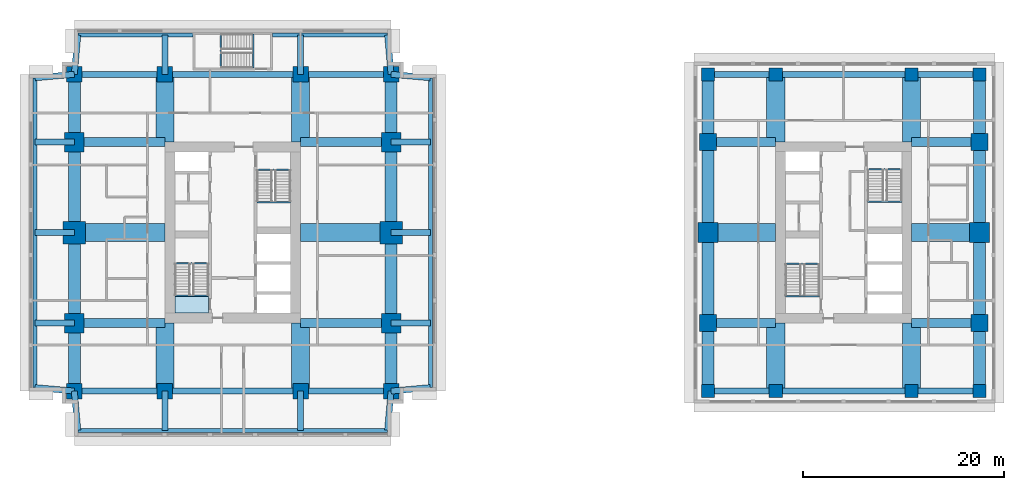
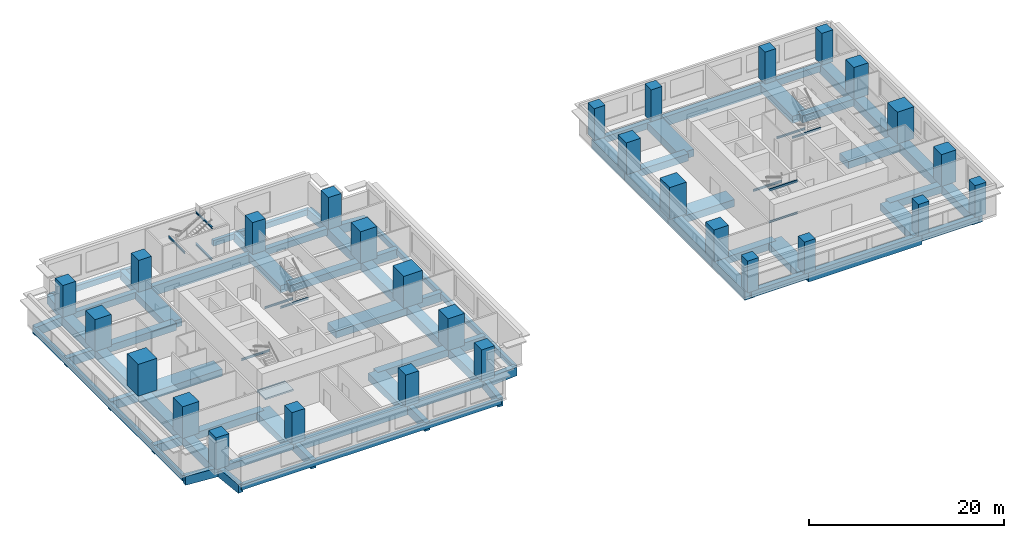
# One storey, part 1 of 10: 83 beams, 28 columns, 1 slab, 1 element without a shape of its own.
"""IFC4 building model written with IfcOpenShell, lengths in metres."""

import ifcopenshell
import ifcopenshell.guid

model = None  # the IFC model being written
_history = None  # IfcOwnerHistory: only IFC2X3 demands one
_inside = {}  # id of a spatial element -> (the spatial element, [elements in it])
_under = {}  # id of a project, library or spatial element -> (it, [spatial elements below it])
_declared = {}  # id of a project -> (the project, [libraries it declares])
_typed = {}  # id of a type object -> (the type object, [elements of that type])
_made_of = {}  # id of a material, layer set ... -> (it, [elements and type objects made of it])


def new_model(schema):
    """Start an empty IFC model of exactly this schema.

    Asked for "IFC4X3", IfcOpenShell would pick the latest addendum, in which some entities
    have other attributes; the version numbers below select the first issue.
    IFC2X3 requires an IfcOwnerHistory on every rooted entity: one is made here for all.
    """
    global model, _history
    if schema == "IFC4X3":
        model = ifcopenshell.file(schema_version=(4, 3, 0, 0))
    else:
        model = ifcopenshell.file(schema=schema)
    _inside.clear()
    _under.clear()
    _declared.clear()
    _typed.clear()
    _made_of.clear()
    _history = None
    if model.schema == "IFC2X3":
        org = make("IfcOrganization", Name="unknown")
        user = make(
            "IfcPersonAndOrganization",
            ThePerson=make("IfcPerson", FamilyName="unknown"),
            TheOrganization=org,
        )
        app = make(
            "IfcApplication",
            ApplicationDeveloper=org,
            Version="unknown",
            ApplicationFullName="unknown",
            ApplicationIdentifier="unknown",
        )
        _history = make(
            "IfcOwnerHistory",
            OwningUser=user,
            OwningApplication=app,
            ChangeAction="ADDED",
            CreationDate=0,
        )
    return model


def make(cls, **values):
    """One entity of the class cls with the attributes given. An attribute that is None is left unset."""
    return model.create_entity(
        cls, **{name: value for name, value in values.items() if value is not None}
    )


def rooted(cls, **values):
    """An entity with a GlobalId (a new one), such as an element, a storey or a relation."""
    return make(cls, GlobalId=ifcopenshell.guid.new(), OwnerHistory=_history, **values)


def si_unit(unit_type, name, prefix=None):
    """IfcSIUnit, for example si_unit("LENGTHUNIT", "METRE", prefix="MILLI")."""
    return make("IfcSIUnit", UnitType=unit_type, Prefix=prefix, Name=name)


def assignment(units):
    """IfcUnitAssignment: the units of a project."""
    return None if units is None else make("IfcUnitAssignment", Units=units)


def point(xyz):
    """IfcCartesianPoint."""
    return None if xyz is None else make("IfcCartesianPoint", Coordinates=xyz)


def direction(xyz):
    """IfcDirection."""
    return None if xyz is None else make("IfcDirection", DirectionRatios=xyz)


def frame(location, z_axis=None, x_axis=None):
    """IfcAxis2Placement3D, a coordinate frame: its origin and axes. An axis left out is left unset."""
    return make(
        "IfcAxis2Placement3D",
        Location=point(location),
        Axis=direction(z_axis),
        RefDirection=direction(x_axis),
    )


def frame_2d(location, x_axis=None):
    """IfcAxis2Placement2D, a coordinate frame in the plane: its origin and x axis."""
    return make(
        "IfcAxis2Placement2D", Location=point(location), RefDirection=direction(x_axis)
    )


def origin():
    """The frame at (0, 0, 0) with its axes left unset."""
    return frame((0.0, 0.0, 0.0))


def origin_2d():
    """The frame at (0, 0) in the plane with its x axis left unset."""
    return frame_2d((0.0, 0.0))


def place(relative_to, where):
    """IfcLocalPlacement: puts the frame where relative to a parent placement (None: the world)."""
    return make(
        "IfcLocalPlacement", PlacementRelTo=relative_to, RelativePlacement=where
    )


def context(
    kind, dimensions, precision=None, world=None, true_north=None, identifier=None
):
    """IfcGeometricRepresentationContext, for example the 3D "Model" context."""
    return make(
        "IfcGeometricRepresentationContext",
        ContextIdentifier=identifier,
        ContextType=kind,
        CoordinateSpaceDimension=dimensions,
        Precision=precision,
        WorldCoordinateSystem=world,
        TrueNorth=true_north,
    )


def subcontext(parent, identifier, kind, view, scale=None):
    """IfcGeometricRepresentationSubContext, for example "Body" below "Model"."""
    return make(
        "IfcGeometricRepresentationSubContext",
        ContextIdentifier=identifier,
        ContextType=kind,
        ParentContext=parent,
        TargetScale=scale,
        TargetView=view,
    )


def project(units=None, contexts=None):
    """IfcProject with its units and contexts."""
    return rooted(
        "IfcProject",
        Name="project",
        RepresentationContexts=contexts,
        UnitsInContext=assignment(units),
    )


def spatial(cls, under=None, at=None, **own):
    """A site, building, storey or space (cls), placed at a placement, below another one or the project."""
    s = rooted(cls, ObjectPlacement=at, **own)
    if under is not None:
        _under.setdefault(under.id(), (under, []))[1].append(s)
    return s


def polyline(points):
    """IfcPolyline through the points."""
    return make("IfcPolyline", Points=[point(p) for p in points])


def profile(cls, at=None, kind="AREA", **sizes):
    """A parametric profile (cls). Its sizes go by their IFC names, for example OverallWidth=200.0."""
    return make(cls, ProfileType=kind, Position=at, **sizes)


def rectangle(**sizes):
    """IfcRectangleProfileDef."""
    return profile("IfcRectangleProfileDef", **sizes)


def i_section(**sizes):
    """IfcIShapeProfileDef."""
    return profile("IfcIShapeProfileDef", **sizes)


def outline(outer, holes=None, kind="AREA"):
    """IfcArbitraryClosedProfileDef: a profile drawn as a closed curve; with holes, ...WithVoids."""
    if holes is None:
        return make("IfcArbitraryClosedProfileDef", ProfileType=kind, OuterCurve=outer)
    return make(
        "IfcArbitraryProfileDefWithVoids",
        ProfileType=kind,
        OuterCurve=outer,
        InnerCurves=holes,
    )


def extrude(swept, where, along, depth):
    """IfcExtrudedAreaSolid: the profile swept, set in the frame where, extruded along a direction by depth."""
    return make(
        "IfcExtrudedAreaSolid",
        SweptArea=swept,
        Position=where,
        ExtrudedDirection=direction(along),
        Depth=depth,
    )


def shape(context_of_items, identifier, shape_type, items):
    """IfcShapeRepresentation: the items that make up one representation, for example the "Body"."""
    return make(
        "IfcShapeRepresentation",
        ContextOfItems=context_of_items,
        RepresentationIdentifier=identifier,
        RepresentationType=shape_type,
        Items=items,
    )


def material(Name=None, Category=None):
    """IfcMaterial."""
    return make("IfcMaterial", Name=Name, Category=Category)


def layer(
    of_material, thickness, ventilated=None, Name=None, Category=None, Priority=None
):
    """IfcMaterialLayer: one layer of a wall or slab, of a material (None: an air gap)."""
    return make(
        "IfcMaterialLayer",
        Material=of_material,
        LayerThickness=thickness,
        IsVentilated=ventilated,
        Name=Name,
        Category=Category,
        Priority=Priority,
    )


def layer_set(layers, Name=None):
    """IfcMaterialLayerSet."""
    return make("IfcMaterialLayerSet", MaterialLayers=layers, LayerSetName=Name)


def material_profile(
    of_material, cross_section, Name=None, Category=None, Priority=None
):
    """IfcMaterialProfile: a cross section and its material."""
    return make(
        "IfcMaterialProfile",
        Name=Name,
        Material=of_material,
        Profile=cross_section,
        Priority=Priority,
        Category=Category,
    )


def profile_set(profiles, Name=None, composite=None):
    """IfcMaterialProfileSet."""
    return make(
        "IfcMaterialProfileSet",
        Name=Name,
        MaterialProfiles=profiles,
        CompositeProfile=composite,
    )


def made_of(thing, what):
    """Note that an element or type object is made of a material, layer set ...; save() writes the relation."""
    if what is not None:
        _made_of.setdefault(what.id(), (what, []))[1].append(thing)
    return thing


def type_object(cls, material=None, **own):
    """A type object (cls), such as IfcWallType, which elements share."""
    return made_of(rooted(cls, **own), material)


def element(
    cls,
    number,
    at=None,
    inside=None,
    cuts=None,
    type_object=None,
    material=None,
    context=None,
    identifier="Body",
    shape_type=None,
    held_by="IfcProductDefinitionShape",
    body=None,
    shapes=None,
    **own,
):
    """One element of the class cls, such as IfcWall. Its Tag is "e" and its number.

    at: its placement. inside: the storey or other place that contains it. cuts: it is an
    opening in that element (IfcRelVoidsElement). A single representation is given by context,
    identifier, shape_type and body (its items); several are given by shapes. held_by: the class
    of the entity that holds the representations. save() writes the other relations.
    """
    e = rooted(cls, Tag="e%d" % number, ObjectPlacement=at, **own)
    if body is not None:
        shapes = [shape(context, identifier, shape_type, body)]
    if shapes is not None:
        e.Representation = make(held_by, Representations=shapes)
    if inside is not None:
        _inside.setdefault(inside.id(), (inside, []))[1].append(e)
    if cuts is not None:
        rooted(
            "IfcRelVoidsElement", RelatingBuildingElement=cuts, RelatedOpeningElement=e
        )
    if type_object is not None:
        _typed.setdefault(type_object.id(), (type_object, []))[1].append(e)
    return made_of(e, material)


def aggregate(whole, parts):
    """IfcRelAggregates: a whole, such as a stair, and the parts it consists of."""
    return rooted("IfcRelAggregates", RelatingObject=whole, RelatedObjects=parts)


def save(model, path):
    """Write the relations noted so far, then the file.

    IfcRelAggregates (storeys below a building ...), IfcRelContainedInSpatialStructure (elements
    in a storey), IfcRelDefinesByType, IfcRelAssociatesMaterial and IfcRelDeclares: one each for
    every whole, place, type object, material and project.
    """
    for whole, parts in _under.values():
        aggregate(whole, parts)
    for where, things in _inside.values():
        rooted(
            "IfcRelContainedInSpatialStructure",
            RelatedElements=things,
            RelatingStructure=where,
        )
    for kind, things in _typed.values():
        rooted("IfcRelDefinesByType", RelatedObjects=things, RelatingType=kind)
    for what, things in _made_of.values():
        rooted("IfcRelAssociatesMaterial", RelatedObjects=things, RelatingMaterial=what)
    for by, libraries in _declared.values():
        rooted("IfcRelDeclares", RelatingContext=by, RelatedDefinitions=libraries)
    model.write(path)


model = new_model("IFC4")

# Units and contexts
model_context = context("Model", 3, precision=1e-05, world=origin(), true_north=direction((0.0, 1.0)))
body_context = subcontext(model_context, "Body", "Model", "MODEL_VIEW")
ifc_project = project(units=[si_unit("LENGTHUNIT", "METRE"), si_unit("AREAUNIT", "SQUARE_METRE"), si_unit("VOLUMEUNIT", "CUBIC_METRE"), si_unit("PLANEANGLEUNIT", "RADIAN"), si_unit("MASSUNIT", "GRAM", prefix="KILO")], contexts=[model_context])

# Site, building, storey
site_placement = place(None, origin())
site = spatial("IfcSite", under=ifc_project, at=site_placement, CompositionType="ELEMENT")
building_placement = place(site_placement, origin())
building = spatial("IfcBuilding", under=site, at=building_placement, Name="Namib Vertical Campus", CompositionType="ELEMENT")
storey_placement = place(building_placement, frame((0.0, 0.0, 229.0)))
storey = spatial("IfcBuildingStorey", under=building, at=storey_placement, Name="L54", CompositionType="ELEMENT", Elevation=229.0)

# Columns
ifc_material_1 = material(Name="Concrete C60/75", Category="concrete")
ifc_material_profile_1 = material_profile(ifc_material_1, rectangle(XDim=1.300048828125, YDim=1.300048828125, at=origin_2d()))
ifc_profile_set_1 = profile_set([ifc_material_profile_1], Name="Concrete C60/75")
column_type_1 = type_object("IfcColumnType", Name="Column RC 1300x1300", PredefinedType="COLUMN", material=ifc_profile_set_1)
for number, where, z_axis, x_axis, name in (
    (1, (67.5, 4.5, 0.0), (0.0, 0.0, 1.0), (1.0, 0.0, 0.0), "Column C130 L54"),
    (2, (74.25, 4.5, 0.0), (0.0, 0.0, 1.0), (1.0, 0.0, 0.0), "Column C130 L54"),
    (3, (87.75, 4.5, 0.0), (0.0, 0.0, 1.0), (1.0, 0.0, 0.0), "Column C130 L54"),
    (4, (94.5, 4.5, 0.0), (0.0, 0.0, 1.0), (1.0, 0.0, 0.0), "Column C130 L54"),
    (5, (67.5, 36.0, 0.0), (0.0, 0.0, 1.0), (1.0, 0.0, 0.0), "Column C130 L54"),
    (6, (74.25, 36.0, 0.0), (0.0, 0.0, 1.0), (1.0, 0.0, 0.0), "Column C130 L54"),
    (7, (87.75, 36.0, 0.0), (0.0, 0.0, 1.0), (1.0, 0.0, 0.0), "Column C130 L54"),
    (8, (94.5, 36.0, 0.0), (0.0, 0.0, 1.0), (1.0, 0.0, 0.0), "Column C130 L54"),
):
    element("IfcColumn", number, at=place(storey_placement, frame(where, z_axis=z_axis, x_axis=x_axis)), inside=storey, type_object=column_type_1, Name=name, PredefinedType="COLUMN", context=body_context, shape_type="SweptSolid", body=[
        extrude(rectangle(XDim=1.300048828125, YDim=1.300048828125, at=origin_2d()), origin(), (0.0, 0.0, 1.0), 4.0),
    ])
ifc_material_2 = material(Name="Concrete C60/75", Category="concrete")
ifc_material_profile_2 = material_profile(ifc_material_2, rectangle(XDim=1.550048828125, YDim=1.550048828125, at=origin_2d()))
ifc_profile_set_2 = profile_set([ifc_material_profile_2], Name="Concrete C60/75")
column_type_2 = type_object("IfcColumnType", Name="Column RC 1550x1550", PredefinedType="COLUMN", material=ifc_profile_set_2)
for number, where, z_axis, x_axis, name in (
    (9, (4.5, 4.5, 0.0), (0.0, 0.0, 1.0), (1.0, 0.0, 0.0), "Column C155 L54"),
    (10, (13.5, 4.5, 0.0), (0.0, 0.0, 1.0), (1.0, 0.0, 0.0), "Column C155 L54"),
    (11, (27.0, 4.5, 0.0), (0.0, 0.0, 1.0), (1.0, 0.0, 0.0), "Column C155 L54"),
    (12, (36.0, 4.5, 0.0), (0.0, 0.0, 1.0), (1.0, 0.0, 0.0), "Column C155 L54"),
    (13, (4.5, 36.0, 0.0), (0.0, 0.0, 1.0), (1.0, 0.0, 0.0), "Column C155 L54"),
    (14, (13.5, 36.0, 0.0), (0.0, 0.0, 1.0), (1.0, 0.0, 0.0), "Column C155 L54"),
    (15, (27.0, 36.0, 0.0), (0.0, 0.0, 1.0), (1.0, 0.0, 0.0), "Column C155 L54"),
    (16, (36.0, 36.0, 0.0), (0.0, 0.0, 1.0), (1.0, 0.0, 0.0), "Column C155 L54"),
):
    element("IfcColumn", number, at=place(storey_placement, frame(where, z_axis=z_axis, x_axis=x_axis)), inside=storey, type_object=column_type_2, Name=name, PredefinedType="COLUMN", context=body_context, shape_type="SweptSolid", body=[
        extrude(rectangle(XDim=1.550048828125, YDim=1.550048828125, at=origin_2d()), origin(), (0.0, 0.0, 1.0), 4.0),
    ])
ifc_material_3 = material(Name="Concrete C60/75", Category="concrete")
ifc_material_profile_3 = material_profile(ifc_material_3, rectangle(XDim=1.699951171875, YDim=1.699951171875, at=origin_2d()))
ifc_profile_set_3 = profile_set([ifc_material_profile_3], Name="Concrete C60/75")
column_type_3 = type_object("IfcColumnType", Name="Column RC 1700x1700", PredefinedType="COLUMN", material=ifc_profile_set_3)
for number, where, z_axis, x_axis, name in (
    (17, (67.5, 11.25, 0.0), (0.0, 0.0, 1.0), (1.0, 0.0, 0.0), "Column C170 L54"),
    (18, (94.5, 11.25, 0.0), (0.0, 0.0, 1.0), (1.0, 0.0, 0.0), "Column C170 L54"),
    (19, (67.5, 29.25, 0.0), (0.0, 0.0, 1.0), (1.0, 0.0, 0.0), "Column C170 L54"),
    (20, (94.5, 29.25, 0.0), (0.0, 0.0, 1.0), (1.0, 0.0, 0.0), "Column C170 L54"),
):
    element("IfcColumn", number, at=place(storey_placement, frame(where, z_axis=z_axis, x_axis=x_axis)), inside=storey, type_object=column_type_3, Name=name, PredefinedType="COLUMN", context=body_context, shape_type="SweptSolid", body=[
        extrude(rectangle(XDim=1.699951171875, YDim=1.699951171875, at=origin_2d()), origin(), (0.0, 0.0, 1.0), 4.0),
    ])
ifc_material_4 = material(Name="Concrete C60/75", Category="concrete")
ifc_material_profile_4 = material_profile(ifc_material_4, rectangle(XDim=1.949951171875, YDim=1.949951171875, at=origin_2d()))
ifc_profile_set_4 = profile_set([ifc_material_profile_4], Name="Concrete C60/75")
column_type_4 = type_object("IfcColumnType", Name="Column RC 1950x1950", PredefinedType="COLUMN", material=ifc_profile_set_4)
for number, where, z_axis, x_axis, name in (
    (21, (4.5, 11.25, 0.0), (0.0, 0.0, 1.0), (1.0, 0.0, 0.0), "Column C195 L54"),
    (22, (36.0, 11.25, 0.0), (0.0, 0.0, 1.0), (1.0, 0.0, 0.0), "Column C195 L54"),
    (23, (4.5, 29.25, 0.0), (0.0, 0.0, 1.0), (1.0, 0.0, 0.0), "Column C195 L54"),
    (24, (36.0, 29.25, 0.0), (0.0, 0.0, 1.0), (1.0, 0.0, 0.0), "Column C195 L54"),
):
    element("IfcColumn", number, at=place(storey_placement, frame(where, z_axis=z_axis, x_axis=x_axis)), inside=storey, type_object=column_type_4, Name=name, PredefinedType="COLUMN", context=body_context, shape_type="SweptSolid", body=[
        extrude(rectangle(XDim=1.949951171875, YDim=1.949951171875, at=origin_2d()), origin(), (0.0, 0.0, 1.0), 4.0),
    ])
ifc_material_5 = material(Name="Concrete C60/75", Category="concrete")
ifc_material_profile_5 = material_profile(ifc_material_5, rectangle(XDim=2.0, YDim=2.0, at=origin_2d()))
ifc_profile_set_5 = profile_set([ifc_material_profile_5], Name="Concrete C60/75")
column_type_5 = type_object("IfcColumnType", Name="Column RC 2000x2000", PredefinedType="COLUMN", material=ifc_profile_set_5)
for number, where, z_axis, x_axis, name in (
    (25, (67.5, 20.25, 0.0), (0.0, 0.0, 1.0), (1.0, 0.0, 0.0), "Column C200 L54"),
    (26, (94.5, 20.25, 0.0), (0.0, 0.0, 1.0), (1.0, 0.0, 0.0), "Column C200 L54"),
):
    element("IfcColumn", number, at=place(storey_placement, frame(where, z_axis=z_axis, x_axis=x_axis)), inside=storey, type_object=column_type_5, Name=name, PredefinedType="COLUMN", context=body_context, shape_type="SweptSolid", body=[
        extrude(rectangle(XDim=2.0, YDim=2.0, at=origin_2d()), origin(), (0.0, 0.0, 1.0), 4.0),
    ])
ifc_material_6 = material(Name="Concrete C60/75", Category="concrete")
ifc_material_profile_6 = material_profile(ifc_material_6, rectangle(XDim=2.25, YDim=2.25, at=origin_2d()))
ifc_profile_set_6 = profile_set([ifc_material_profile_6], Name="Concrete C60/75")
column_type_6 = type_object("IfcColumnType", Name="Column RC 2250x2250", PredefinedType="COLUMN", material=ifc_profile_set_6)
for number, where, z_axis, x_axis, name in (
    (27, (4.5, 20.25, 0.0), (0.0, 0.0, 1.0), (1.0, 0.0, 0.0), "Column C225 L54"),
    (28, (36.0, 20.25, 0.0), (0.0, 0.0, 1.0), (1.0, 0.0, 0.0), "Column C225 L54"),
):
    element("IfcColumn", number, at=place(storey_placement, frame(where, z_axis=z_axis, x_axis=x_axis)), inside=storey, type_object=column_type_6, Name=name, PredefinedType="COLUMN", context=body_context, shape_type="SweptSolid", body=[
        extrude(rectangle(XDim=2.25, YDim=2.25, at=origin_2d()), origin(), (0.0, 0.0, 1.0), 4.0),
    ])

# Beams
ifc_material_7 = material(Name="Concrete C40/50", Category="concrete")
ifc_material_profile_7 = material_profile(ifc_material_7, rectangle(XDim=0.39990234375, YDim=0.699951171875, at=origin_2d()))
ifc_profile_set_7 = profile_set([ifc_material_profile_7], Name="Concrete C40/50")
beam_type_1 = type_object("IfcBeamType", Name="Edge beam RC 400x700", PredefinedType="SPANDREL", material=ifc_profile_set_7)
beam_1_placement = place(storey_placement, frame((4.85009765625, 0.60009765625, -0.60009765625), z_axis=(1.0, 0.0, 0.0), x_axis=(0.0, 1.0, 0.0)))
element("IfcBeam", 29, at=beam_1_placement, inside=storey, type_object=beam_type_1, Name="Beam B4 L54", PredefinedType="SPANDREL", context=body_context, shape_type="SweptSolid", body=[
    extrude(rectangle(XDim=0.39990234375, YDim=0.699951171875, at=origin_2d()), origin(), (0.0, 0.0, 1.0), 30.7998046875),
])
for number, where, z_axis, x_axis, name in (
    (30, (4.85009765625, 39.89990234375, -0.60009765625), (1.0, 0.0, 0.0), (0.0, 1.0, 0.0), "Beam B4 L54"),
    (31, (24.199951171875, 39.89990234375, -0.60009765625), (1.0, 0.0, 0.0), (0.0, 1.0, 0.0), "Beam B4 L54"),
):
    element("IfcBeam", number, at=place(storey_placement, frame(where, z_axis=z_axis, x_axis=x_axis)), inside=storey, type_object=beam_type_1, Name=name, PredefinedType="SPANDREL", context=body_context, shape_type="SweptSolid", body=[
        extrude(rectangle(XDim=0.39990234375, YDim=0.699951171875, at=origin_2d()), origin(), (0.0, 0.0, 1.0), 11.449951171875),
    ])
for number, where, z_axis, x_axis, name in (
    (32, (0.60009765625, 4.85009765625, -0.60009765625), (0.0, 1.0, 0.0), (-1.0, 0.0, 0.0), "Beam B4 L54"),
    (33, (39.89990234375, 4.85009765625, -0.60009765625), (0.0, 1.0, 0.0), (-1.0, 0.0, 0.0), "Beam B4 L54"),
):
    element("IfcBeam", number, at=place(storey_placement, frame(where, z_axis=z_axis, x_axis=x_axis)), inside=storey, type_object=beam_type_1, Name=name, PredefinedType="SPANDREL", context=body_context, shape_type="SweptSolid", body=[
        extrude(rectangle(XDim=0.39990234375, YDim=0.699951171875, at=origin_2d()), origin(), (0.0, 0.0, 1.0), 30.7998046875),
    ])
ifc_material_8 = material(Name="Concrete C40/50", Category="concrete")
ifc_material_profile_8 = material_profile(ifc_material_8, rectangle(XDim=0.89990234375, YDim=0.89990234375, at=origin_2d()))
ifc_profile_set_8 = profile_set([ifc_material_profile_8], Name="Concrete C40/50")
beam_type_2 = type_object("IfcBeamType", Name="Face girder RC 900x900", PredefinedType="BEAM", material=ifc_profile_set_8)
for number, where, z_axis, x_axis, name in (
    (34, (4.5, 11.25, -0.699951171875), (1.0, 0.0, 0.0), (0.0, 1.0, 0.0), "Beam B10 L54"),
    (35, (36.0, 11.25, -0.699951171875), (-1.0, 0.0, 0.0), (0.0, -1.0, 0.0), "Beam B10 L54"),
    (36, (4.5, 29.25, -0.699951171875), (1.0, 0.0, 0.0), (0.0, 1.0, 0.0), "Beam B10 L54"),
    (37, (36.0, 29.25, -0.699951171875), (-1.0, 0.0, 0.0), (0.0, -1.0, 0.0), "Beam B10 L54"),
):
    element("IfcBeam", number, at=place(storey_placement, frame(where, z_axis=z_axis, x_axis=x_axis)), inside=storey, type_object=beam_type_2, Name=name, PredefinedType="BEAM", context=body_context, shape_type="SweptSolid", body=[
        extrude(rectangle(XDim=0.89990234375, YDim=0.89990234375, at=origin_2d()), origin(), (0.0, 0.0, 1.0), 9.0),
    ])
for number, where, z_axis, x_axis, name in (
    (38, (67.5, 11.25, -0.699951171875), (1.0, 0.0, 0.0), (0.0, 1.0, 0.0), "Beam B10 L54"),
    (39, (94.5, 11.25, -0.699951171875), (-1.0, 0.0, 0.0), (0.0, -1.0, 0.0), "Beam B10 L54"),
    (40, (67.5, 29.25, -0.699951171875), (1.0, 0.0, 0.0), (0.0, 1.0, 0.0), "Beam B10 L54"),
    (41, (94.5, 29.25, -0.699951171875), (-1.0, 0.0, 0.0), (0.0, -1.0, 0.0), "Beam B10 L54"),
):
    element("IfcBeam", number, at=place(storey_placement, frame(where, z_axis=z_axis, x_axis=x_axis)), inside=storey, type_object=beam_type_2, Name=name, PredefinedType="BEAM", context=body_context, shape_type="SweptSolid", body=[
        extrude(rectangle(XDim=0.89990234375, YDim=0.89990234375, at=origin_2d()), origin(), (0.0, 0.0, 1.0), 6.75),
    ])
ifc_material_9 = material(Name="Concrete C40/50", Category="concrete")
ifc_material_profile_9 = material_profile(ifc_material_9, rectangle(XDim=1.199951171875, YDim=1.10009765625, at=origin_2d()))
ifc_profile_set_9 = profile_set([ifc_material_profile_9], Name="Concrete C40/50")
beam_type_3 = type_object("IfcBeamType", Name="Face ring beam RC 1200x1100", PredefinedType="BEAM", material=ifc_profile_set_9)
beam_2_placement = place(storey_placement, frame((4.5, 4.5, -0.800048828125), z_axis=(0.0, 1.0, 0.0), x_axis=(-1.0, 0.0, 0.0)))
element("IfcBeam", 42, at=beam_2_placement, inside=storey, type_object=beam_type_3, Name="Beam B11 L54", PredefinedType="BEAM", context=body_context, shape_type="SweptSolid", body=[
    extrude(rectangle(XDim=1.199951171875, YDim=1.10009765625, at=origin_2d()), origin(), (0.0, 0.0, 1.0), 6.75),
])
for number, where, z_axis, x_axis, name in (
    (43, (4.5, 11.25, -0.800048828125), (0.0, 1.0, 0.0), (-1.0, 0.0, 0.0), "Beam B11 L54"),
    (44, (4.5, 20.25, -0.800048828125), (0.0, 1.0, 0.0), (-1.0, 0.0, 0.0), "Beam B11 L54"),
):
    element("IfcBeam", number, at=place(storey_placement, frame(where, z_axis=z_axis, x_axis=x_axis)), inside=storey, type_object=beam_type_3, Name=name, PredefinedType="BEAM", context=body_context, shape_type="SweptSolid", body=[
        extrude(rectangle(XDim=1.199951171875, YDim=1.10009765625, at=origin_2d()), origin(), (0.0, 0.0, 1.0), 9.0),
    ])
for number, where, z_axis, x_axis, name in (
    (45, (4.5, 29.25, -0.800048828125), (0.0, 1.0, 0.0), (-1.0, 0.0, 0.0), "Beam B11 L54"),
    (46, (36.0, 4.5, -0.800048828125), (0.0, 1.0, 0.0), (-1.0, 0.0, 0.0), "Beam B11 L54"),
):
    element("IfcBeam", number, at=place(storey_placement, frame(where, z_axis=z_axis, x_axis=x_axis)), inside=storey, type_object=beam_type_3, Name=name, PredefinedType="BEAM", context=body_context, shape_type="SweptSolid", body=[
        extrude(rectangle(XDim=1.199951171875, YDim=1.10009765625, at=origin_2d()), origin(), (0.0, 0.0, 1.0), 6.75),
    ])
for number, where, z_axis, x_axis, name in (
    (47, (36.0, 11.25, -0.800048828125), (0.0, 1.0, 0.0), (-1.0, 0.0, 0.0), "Beam B11 L54"),
    (48, (36.0, 20.25, -0.800048828125), (0.0, 1.0, 0.0), (-1.0, 0.0, 0.0), "Beam B11 L54"),
):
    element("IfcBeam", number, at=place(storey_placement, frame(where, z_axis=z_axis, x_axis=x_axis)), inside=storey, type_object=beam_type_3, Name=name, PredefinedType="BEAM", context=body_context, shape_type="SweptSolid", body=[
        extrude(rectangle(XDim=1.199951171875, YDim=1.10009765625, at=origin_2d()), origin(), (0.0, 0.0, 1.0), 9.0),
    ])
for number, where, z_axis, x_axis, name in (
    (49, (36.0, 29.25, -0.800048828125), (0.0, 1.0, 0.0), (-1.0, 0.0, 0.0), "Beam B11 L54"),
    (50, (67.5, 4.5, -0.800048828125), (0.0, 1.0, 0.0), (-1.0, 0.0, 0.0), "Beam B11 L54"),
):
    element("IfcBeam", number, at=place(storey_placement, frame(where, z_axis=z_axis, x_axis=x_axis)), inside=storey, type_object=beam_type_3, Name=name, PredefinedType="BEAM", context=body_context, shape_type="SweptSolid", body=[
        extrude(rectangle(XDim=1.199951171875, YDim=1.10009765625, at=origin_2d()), origin(), (0.0, 0.0, 1.0), 6.75),
    ])
for number, where, z_axis, x_axis, name in (
    (51, (67.5, 11.25, -0.800048828125), (0.0, 1.0, 0.0), (-1.0, 0.0, 0.0), "Beam B11 L54"),
    (52, (67.5, 20.25, -0.800048828125), (0.0, 1.0, 0.0), (-1.0, 0.0, 0.0), "Beam B11 L54"),
):
    element("IfcBeam", number, at=place(storey_placement, frame(where, z_axis=z_axis, x_axis=x_axis)), inside=storey, type_object=beam_type_3, Name=name, PredefinedType="BEAM", context=body_context, shape_type="SweptSolid", body=[
        extrude(rectangle(XDim=1.199951171875, YDim=1.10009765625, at=origin_2d()), origin(), (0.0, 0.0, 1.0), 9.0),
    ])
for number, where, z_axis, x_axis, name in (
    (53, (67.5, 29.25, -0.800048828125), (0.0, 1.0, 0.0), (-1.0, 0.0, 0.0), "Beam B11 L54"),
    (54, (94.5, 4.5, -0.800048828125), (0.0, 1.0, 0.0), (-1.0, 0.0, 0.0), "Beam B11 L54"),
):
    element("IfcBeam", number, at=place(storey_placement, frame(where, z_axis=z_axis, x_axis=x_axis)), inside=storey, type_object=beam_type_3, Name=name, PredefinedType="BEAM", context=body_context, shape_type="SweptSolid", body=[
        extrude(rectangle(XDim=1.199951171875, YDim=1.10009765625, at=origin_2d()), origin(), (0.0, 0.0, 1.0), 6.75),
    ])
for number, where, z_axis, x_axis, name in (
    (55, (94.5, 11.25, -0.800048828125), (0.0, 1.0, 0.0), (-1.0, 0.0, 0.0), "Beam B11 L54"),
    (56, (94.5, 20.25, -0.800048828125), (0.0, 1.0, 0.0), (-1.0, 0.0, 0.0), "Beam B11 L54"),
):
    element("IfcBeam", number, at=place(storey_placement, frame(where, z_axis=z_axis, x_axis=x_axis)), inside=storey, type_object=beam_type_3, Name=name, PredefinedType="BEAM", context=body_context, shape_type="SweptSolid", body=[
        extrude(rectangle(XDim=1.199951171875, YDim=1.10009765625, at=origin_2d()), origin(), (0.0, 0.0, 1.0), 9.0),
    ])
beam_3_placement = place(storey_placement, frame((94.5, 29.25, -0.800048828125), z_axis=(0.0, 1.0, 0.0), x_axis=(-1.0, 0.0, 0.0)))
element("IfcBeam", 57, at=beam_3_placement, inside=storey, type_object=beam_type_3, Name="Beam B11 L54", PredefinedType="BEAM", context=body_context, shape_type="SweptSolid", body=[
    extrude(rectangle(XDim=1.199951171875, YDim=1.10009765625, at=origin_2d()), origin(), (0.0, 0.0, 1.0), 6.75),
])
ifc_material_10 = material(Name="Steel S355JR", Category="steel")
ifc_material_profile_10 = material_profile(ifc_material_10, i_section(OverallWidth=0.14599609375, OverallDepth=0.25146484375, WebThickness=0.006103515625, FlangeThickness=0.008544921875, FilletRadius=0.007568359375, at=origin_2d()))
ifc_profile_set_10 = profile_set([ifc_material_profile_10], Name="Steel S355JR")
beam_type_4 = type_object("IfcBeamType", Name="Landing trimmer UB 254x146x31", PredefinedType="BEAM", material=ifc_profile_set_10)
for number, where, z_axis, x_axis, name in (
    (58, (14.5, 13.97705078125, -0.125732421875), (1.0, 0.0, 0.0), (0.0, 1.0, 0.0), "Landing trimmer LT1 A-S1 L54 1"),
    (59, (14.5, 17.203125, 1.874267578125), (1.0, 0.0, 0.0), (0.0, 1.0, 0.0), "Landing trimmer LT1 A-S1 L54 2"),
    (60, (22.64990234375, 26.52294921875, -0.125732421875), (1.0, 0.0, 0.0), (0.0, 1.0, 0.0), "Landing trimmer LT1 A-S2 L54 1"),
    (61, (22.64990234375, 23.296875, 1.874267578125), (1.0, 0.0, 0.0), (0.0, 1.0, 0.0), "Landing trimmer LT1 A-S2 L54 2"),
):
    element("IfcBeam", number, at=place(storey_placement, frame(where, z_axis=z_axis, x_axis=x_axis)), inside=storey, type_object=beam_type_4, Name=name, PredefinedType="BEAM", context=body_context, shape_type="SweptSolid", body=[
        extrude(i_section(OverallWidth=0.14599609375, OverallDepth=0.25146484375, WebThickness=0.006103515625, FlangeThickness=0.008544921875, FilletRadius=0.007568359375, at=origin_2d()), origin(), (0.0, 0.0, 1.0), 3.35009765625),
    ])
for number, where, z_axis, x_axis, name in (
    (62, (75.199951171875, 13.927001953125, -0.125732421875), (1.0, 0.0, 0.0), (0.0, 1.0, 0.0), "Landing trimmer LT1 B-S1 L54 1"),
    (63, (75.199951171875, 17.153076171875, 1.874267578125), (1.0, 0.0, 0.0), (0.0, 1.0, 0.0), "Landing trimmer LT1 B-S1 L54 2"),
    (64, (75.199951171875, 13.927001953125, 3.874267578125), (1.0, 0.0, 0.0), (0.0, 1.0, 0.0), "Landing trimmer LT1 B-S1 L54 3"),
    (65, (83.39990234375, 26.572998046875, -0.125732421875), (1.0, 0.0, 0.0), (0.0, 1.0, 0.0), "Landing trimmer LT1 B-S2 L54 1"),
    (66, (83.39990234375, 23.346923828125, 1.874267578125), (1.0, 0.0, 0.0), (0.0, 1.0, 0.0), "Landing trimmer LT1 B-S2 L54 2"),
):
    element("IfcBeam", number, at=place(storey_placement, frame(where, z_axis=z_axis, x_axis=x_axis)), inside=storey, type_object=beam_type_4, Name=name, PredefinedType="BEAM", context=body_context, shape_type="SweptSolid", body=[
        extrude(i_section(OverallWidth=0.14599609375, OverallDepth=0.25146484375, WebThickness=0.006103515625, FlangeThickness=0.008544921875, FilletRadius=0.007568359375, at=origin_2d()), origin(), (0.0, 0.0, 1.0), 3.400146484375),
    ])
for number, where, z_axis, x_axis, name in (
    (67, (22.27294921875, 36.64990234375, -0.125732421875), (0.0, 1.0, 0.0), (-1.0, 0.0, 0.0), "Landing trimmer LT1 A-S3 L54 1"),
    (68, (19.046875, 36.64990234375, 1.874267578125), (0.0, 1.0, 0.0), (-1.0, 0.0, 0.0), "Landing trimmer LT1 A-S3 L54 2"),
    (69, (22.27294921875, 36.64990234375, 3.874267578125), (0.0, 1.0, 0.0), (-1.0, 0.0, 0.0), "Landing trimmer LT1 A-S3 L54 3"),
):
    element("IfcBeam", number, at=place(storey_placement, frame(where, z_axis=z_axis, x_axis=x_axis)), inside=storey, type_object=beam_type_4, Name=name, PredefinedType="BEAM", context=body_context, shape_type="SweptSolid", body=[
        extrude(i_section(OverallWidth=0.14599609375, OverallDepth=0.25146484375, WebThickness=0.006103515625, FlangeThickness=0.008544921875, FilletRadius=0.007568359375, at=origin_2d()), origin(), (0.0, 0.0, 1.0), 3.35009765625),
    ])
ifc_material_11 = material(Name="Concrete C40/50", Category="concrete")
ifc_material_profile_11 = material_profile(ifc_material_11, rectangle(XDim=0.60009765625, YDim=1.199951171875, at=origin_2d()))
ifc_profile_set_11 = profile_set([ifc_material_profile_11], Name="Concrete C40/50")
beam_type_5 = type_object("IfcBeamType", Name="Long-span ring beam RC 600x1200", PredefinedType="BEAM", material=ifc_profile_set_11)
for number, where, z_axis, x_axis, name in (
    (70, (13.5, 4.5, -0.85009765625), (1.0, 0.0, 0.0), (0.0, 1.0, 0.0), "Beam B9 L54"),
    (71, (13.5, 36.0, -0.85009765625), (1.0, 0.0, 0.0), (0.0, 1.0, 0.0), "Beam B9 L54"),
    (72, (74.25, 4.5, -0.85009765625), (1.0, 0.0, 0.0), (0.0, 1.0, 0.0), "Beam B9 L54"),
    (73, (74.25, 36.0, -0.85009765625), (1.0, 0.0, 0.0), (0.0, 1.0, 0.0), "Beam B9 L54"),
):
    element("IfcBeam", number, at=place(storey_placement, frame(where, z_axis=z_axis, x_axis=x_axis)), inside=storey, type_object=beam_type_5, Name=name, PredefinedType="BEAM", context=body_context, shape_type="SweptSolid", body=[
        extrude(rectangle(XDim=0.60009765625, YDim=1.199951171875, at=origin_2d()), origin(), (0.0, 0.0, 1.0), 13.5),
    ])
ifc_material_12 = material(Name="Concrete C40/50", Category="concrete")
ifc_material_profile_12 = material_profile(ifc_material_12, rectangle(XDim=1.800048828125, YDim=0.89990234375, at=origin_2d()))
ifc_profile_set_12 = profile_set([ifc_material_profile_12], Name="Concrete C40/50")
beam_type_6 = type_object("IfcBeamType", Name="Outrigger line girder RC 1800x900", PredefinedType="BEAM", material=ifc_profile_set_12)
for number, where, z_axis, x_axis, name in (
    (74, (13.5, 4.5, -0.699951171875), (0.0, 1.0, 0.0), (-1.0, 0.0, 0.0), "Beam B12 L54"),
    (75, (13.5, 36.0, -0.699951171875), (0.0, -1.0, 0.0), (1.0, 0.0, 0.0), "Beam B12 L54"),
    (76, (27.0, 4.5, -0.699951171875), (0.0, 1.0, 0.0), (-1.0, 0.0, 0.0), "Beam B12 L54"),
    (77, (27.0, 36.0, -0.699951171875), (0.0, -1.0, 0.0), (1.0, 0.0, 0.0), "Beam B12 L54"),
):
    element("IfcBeam", number, at=place(storey_placement, frame(where, z_axis=z_axis, x_axis=x_axis)), inside=storey, type_object=beam_type_6, Name=name, PredefinedType="BEAM", context=body_context, shape_type="SweptSolid", body=[
        extrude(rectangle(XDim=1.800048828125, YDim=0.89990234375, at=origin_2d()), origin(), (0.0, 0.0, 1.0), 6.75),
    ])
for number, where, z_axis, x_axis, name in (
    (78, (4.5, 20.25, -0.699951171875), (1.0, 0.0, 0.0), (0.0, 1.0, 0.0), "Beam B12 L54"),
    (79, (36.0, 20.25, -0.699951171875), (-1.0, 0.0, 0.0), (0.0, -1.0, 0.0), "Beam B12 L54"),
):
    element("IfcBeam", number, at=place(storey_placement, frame(where, z_axis=z_axis, x_axis=x_axis)), inside=storey, type_object=beam_type_6, Name=name, PredefinedType="BEAM", context=body_context, shape_type="SweptSolid", body=[
        extrude(rectangle(XDim=1.800048828125, YDim=0.89990234375, at=origin_2d()), origin(), (0.0, 0.0, 1.0), 9.0),
    ])
for number, where, z_axis, x_axis, name in (
    (80, (74.25, 4.5, -0.699951171875), (0.0, 1.0, 0.0), (-1.0, 0.0, 0.0), "Beam B12 L54"),
    (81, (74.25, 36.0, -0.699951171875), (0.0, -1.0, 0.0), (1.0, 0.0, 0.0), "Beam B12 L54"),
    (82, (87.75, 4.5, -0.699951171875), (0.0, 1.0, 0.0), (-1.0, 0.0, 0.0), "Beam B12 L54"),
    (83, (87.75, 36.0, -0.699951171875), (0.0, -1.0, 0.0), (1.0, 0.0, 0.0), "Beam B12 L54"),
    (84, (67.5, 20.25, -0.699951171875), (1.0, 0.0, 0.0), (0.0, 1.0, 0.0), "Beam B12 L54"),
    (85, (94.5, 20.25, -0.699951171875), (-1.0, 0.0, 0.0), (0.0, -1.0, 0.0), "Beam B12 L54"),
):
    element("IfcBeam", number, at=place(storey_placement, frame(where, z_axis=z_axis, x_axis=x_axis)), inside=storey, type_object=beam_type_6, Name=name, PredefinedType="BEAM", context=body_context, shape_type="SweptSolid", body=[
        extrude(rectangle(XDim=1.800048828125, YDim=0.89990234375, at=origin_2d()), origin(), (0.0, 0.0, 1.0), 6.75),
    ])
ifc_material_13 = material(Name="Concrete C40/50", Category="concrete")
ifc_material_profile_13 = material_profile(ifc_material_13, rectangle(XDim=0.60009765625, YDim=1.10009765625, at=origin_2d()))
ifc_profile_set_13 = profile_set([ifc_material_profile_13], Name="Concrete C40/50")
beam_type_7 = type_object("IfcBeamType", Name="Plant floor cantilever girder RC 600x1100", PredefinedType="BEAM", material=ifc_profile_set_13)
beam_4_placement = place(storey_placement, frame((4.5, 4.5, -0.800048828125), z_axis=(0.089411326146, -0.995994786511, 0.0), x_axis=(0.995994786511, 0.089411326146, 0.0)))
element("IfcBeam", 86, at=beam_4_placement, inside=storey, type_object=beam_type_7, Name="Beam B7 L54", PredefinedType="BEAM", context=body_context, shape_type="SweptSolid", body=[
    extrude(rectangle(XDim=0.60009765625, YDim=1.10009765625, at=origin_2d()), origin(), (0.0, 0.0, 1.0), 3.91552734375),
])
for number, where, z_axis, x_axis, name in (
    (87, (13.5, 4.5, -0.800048828125), (0.0, -1.0, 0.0), (1.0, 0.0, 0.0), "Beam B7 L54"),
    (88, (27.0, 4.5, -0.800048828125), (0.0, -1.0, 0.0), (1.0, 0.0, 0.0), "Beam B7 L54"),
):
    element("IfcBeam", number, at=place(storey_placement, frame(where, z_axis=z_axis, x_axis=x_axis)), inside=storey, type_object=beam_type_7, Name=name, PredefinedType="BEAM", context=body_context, shape_type="SweptSolid", body=[
        extrude(rectangle(XDim=0.60009765625, YDim=1.10009765625, at=origin_2d()), origin(), (0.0, 0.0, 1.0), 3.89990234375),
    ])
for number, where, z_axis, x_axis, name in (
    (89, (36.0, 4.5, -0.800048828125), (-0.089411326146, -0.995994786511, 0.0), (0.995994786511, -0.089411326146, 0.0), "Beam B7 L54"),
    (90, (4.5, 36.0, -0.800048828125), (0.089411326146, 0.995994786511, 0.0), (-0.995994786511, 0.089411326146, 0.0), "Beam B7 L54"),
):
    element("IfcBeam", number, at=place(storey_placement, frame(where, z_axis=z_axis, x_axis=x_axis)), inside=storey, type_object=beam_type_7, Name=name, PredefinedType="BEAM", context=body_context, shape_type="SweptSolid", body=[
        extrude(rectangle(XDim=0.60009765625, YDim=1.10009765625, at=origin_2d()), origin(), (0.0, 0.0, 1.0), 3.91552734375),
    ])
for number, where, z_axis, x_axis, name in (
    (91, (13.5, 36.0, -0.800048828125), (0.0, 1.0, 0.0), (-1.0, 0.0, 0.0), "Beam B7 L54"),
    (92, (27.0, 36.0, -0.800048828125), (0.0, 1.0, 0.0), (-1.0, 0.0, 0.0), "Beam B7 L54"),
):
    element("IfcBeam", number, at=place(storey_placement, frame(where, z_axis=z_axis, x_axis=x_axis)), inside=storey, type_object=beam_type_7, Name=name, PredefinedType="BEAM", context=body_context, shape_type="SweptSolid", body=[
        extrude(rectangle(XDim=0.60009765625, YDim=1.10009765625, at=origin_2d()), origin(), (0.0, 0.0, 1.0), 3.89990234375),
    ])
for number, where, z_axis, x_axis, name in (
    (93, (36.0, 36.0, -0.800048828125), (-0.089411326146, 0.995994786511, 0.0), (-0.995994786511, -0.089411326146, 0.0), "Beam B7 L54"),
    (94, (4.5, 4.5, -0.800048828125), (-0.995994786511, 0.089411326146, 0.0), (-0.089411326146, -0.995994786511, 0.0), "Beam B7 L54"),
):
    element("IfcBeam", number, at=place(storey_placement, frame(where, z_axis=z_axis, x_axis=x_axis)), inside=storey, type_object=beam_type_7, Name=name, PredefinedType="BEAM", context=body_context, shape_type="SweptSolid", body=[
        extrude(rectangle(XDim=0.60009765625, YDim=1.10009765625, at=origin_2d()), origin(), (0.0, 0.0, 1.0), 3.91552734375),
    ])
for number, where, z_axis, x_axis, name in (
    (95, (4.5, 11.25, -0.800048828125), (-1.0, 0.0, 0.0), (0.0, -1.0, 0.0), "Beam B7 L54"),
    (96, (4.5, 20.25, -0.800048828125), (-1.0, 0.0, 0.0), (0.0, -1.0, 0.0), "Beam B7 L54"),
    (97, (4.5, 29.25, -0.800048828125), (-1.0, 0.0, 0.0), (0.0, -1.0, 0.0), "Beam B7 L54"),
):
    element("IfcBeam", number, at=place(storey_placement, frame(where, z_axis=z_axis, x_axis=x_axis)), inside=storey, type_object=beam_type_7, Name=name, PredefinedType="BEAM", context=body_context, shape_type="SweptSolid", body=[
        extrude(rectangle(XDim=0.60009765625, YDim=1.10009765625, at=origin_2d()), origin(), (0.0, 0.0, 1.0), 3.89990234375),
    ])
for number, where, z_axis, x_axis, name in (
    (98, (4.5, 36.0, -0.800048828125), (-0.995994786511, -0.089411326146, 0.0), (0.089411326146, -0.995994786511, 0.0), "Beam B7 L54"),
    (99, (36.0, 4.5, -0.800048828125), (0.995994786511, 0.089411326146, 0.0), (-0.089411326146, 0.995994786511, 0.0), "Beam B7 L54"),
):
    element("IfcBeam", number, at=place(storey_placement, frame(where, z_axis=z_axis, x_axis=x_axis)), inside=storey, type_object=beam_type_7, Name=name, PredefinedType="BEAM", context=body_context, shape_type="SweptSolid", body=[
        extrude(rectangle(XDim=0.60009765625, YDim=1.10009765625, at=origin_2d()), origin(), (0.0, 0.0, 1.0), 3.91552734375),
    ])
for number, where, z_axis, x_axis, name in (
    (100, (36.0, 11.25, -0.800048828125), (1.0, 0.0, 0.0), (0.0, 1.0, 0.0), "Beam B7 L54"),
    (101, (36.0, 20.25, -0.800048828125), (1.0, 0.0, 0.0), (0.0, 1.0, 0.0), "Beam B7 L54"),
    (102, (36.0, 29.25, -0.800048828125), (1.0, 0.0, 0.0), (0.0, 1.0, 0.0), "Beam B7 L54"),
):
    element("IfcBeam", number, at=place(storey_placement, frame(where, z_axis=z_axis, x_axis=x_axis)), inside=storey, type_object=beam_type_7, Name=name, PredefinedType="BEAM", context=body_context, shape_type="SweptSolid", body=[
        extrude(rectangle(XDim=0.60009765625, YDim=1.10009765625, at=origin_2d()), origin(), (0.0, 0.0, 1.0), 3.89990234375),
    ])
beam_5_placement = place(storey_placement, frame((36.0, 36.0, -0.800048828125), z_axis=(0.995994786511, -0.089411326146, 0.0), x_axis=(0.089411326146, 0.995994786511, 0.0)))
element("IfcBeam", 103, at=beam_5_placement, inside=storey, type_object=beam_type_7, Name="Beam B7 L54", PredefinedType="BEAM", context=body_context, shape_type="SweptSolid", body=[
    extrude(rectangle(XDim=0.60009765625, YDim=1.10009765625, at=origin_2d()), origin(), (0.0, 0.0, 1.0), 3.91552734375),
])
ifc_material_14 = material(Name="Concrete C40/50", Category="concrete")
ifc_material_profile_14 = material_profile(ifc_material_14, rectangle(XDim=0.60009765625, YDim=0.800048828125, at=origin_2d()))
ifc_profile_set_14 = profile_set([ifc_material_profile_14], Name="Concrete C40/50")
beam_type_8 = type_object("IfcBeamType", Name="Ring beam RC 600x800", PredefinedType="BEAM", material=ifc_profile_set_14)
for number, where, z_axis, x_axis, name in (
    (104, (4.5, 4.5, -0.64990234375), (1.0, 0.0, 0.0), (0.0, 1.0, 0.0), "Beam B1 L54"),
    (105, (27.0, 4.5, -0.64990234375), (1.0, 0.0, 0.0), (0.0, 1.0, 0.0), "Beam B1 L54"),
    (106, (4.5, 36.0, -0.64990234375), (1.0, 0.0, 0.0), (0.0, 1.0, 0.0), "Beam B1 L54"),
    (107, (27.0, 36.0, -0.64990234375), (1.0, 0.0, 0.0), (0.0, 1.0, 0.0), "Beam B1 L54"),
):
    element("IfcBeam", number, at=place(storey_placement, frame(where, z_axis=z_axis, x_axis=x_axis)), inside=storey, type_object=beam_type_8, Name=name, PredefinedType="BEAM", context=body_context, shape_type="SweptSolid", body=[
        extrude(rectangle(XDim=0.60009765625, YDim=0.800048828125, at=origin_2d()), origin(), (0.0, 0.0, 1.0), 9.0),
    ])
for number, where, z_axis, x_axis, name in (
    (108, (67.5, 4.5, -0.64990234375), (1.0, 0.0, 0.0), (0.0, 1.0, 0.0), "Beam B1 L54"),
    (109, (87.75, 4.5, -0.64990234375), (1.0, 0.0, 0.0), (0.0, 1.0, 0.0), "Beam B1 L54"),
    (110, (67.5, 36.0, -0.64990234375), (1.0, 0.0, 0.0), (0.0, 1.0, 0.0), "Beam B1 L54"),
    (111, (87.75, 36.0, -0.64990234375), (1.0, 0.0, 0.0), (0.0, 1.0, 0.0), "Beam B1 L54"),
):
    element("IfcBeam", number, at=place(storey_placement, frame(where, z_axis=z_axis, x_axis=x_axis)), inside=storey, type_object=beam_type_8, Name=name, PredefinedType="BEAM", context=body_context, shape_type="SweptSolid", body=[
        extrude(rectangle(XDim=0.60009765625, YDim=0.800048828125, at=origin_2d()), origin(), (0.0, 0.0, 1.0), 6.75),
    ])

# Stair, slab
ifc_material_15 = material(Name="Concrete C40/50 precast", Category="concrete")
stair_type = type_object("IfcStairType", Name="Exit stair 4000 rise 24 risers 3350 wide", PredefinedType="HALF_TURN_STAIR", material=ifc_material_15)
stair_placement = place(storey_placement, origin())
stair = element("IfcStair", 112, at=stair_placement, inside=storey, type_object=stair_type, Name="Exit stair A-S1 L54", PredefinedType="HALF_TURN_STAIR")
ifc_material_16 = material(Name="Concrete C40/50", Category="concrete")
ifc_layer = layer(ifc_material_16, 0.199951171875)
ifc_layer_set = layer_set([ifc_layer], Name="Concrete C40/50")
slab_type = type_object("IfcSlabType", Name="Stair landing 200", PredefinedType="LANDING", material=ifc_layer_set)
slab_placement = place(storey_placement, frame((0.0, 0.0, -0.199951171875)))
slab = element("IfcSlab", 113, at=slab_placement, type_object=slab_type, Name="A-S1 landing 1", PredefinedType="LANDING", context=body_context, shape_type="SweptSolid", body=[
    extrude(outline(polyline([(14.5, 12.25), (17.85009765625, 12.25), (17.85009765625, 13.90380859375), (14.5, 13.90380859375), (14.5, 12.25)])), origin(), (0.0, 0.0, 1.0), 0.199951171875),
])
aggregate(stair, [slab])

save(model, "model.ifc")
